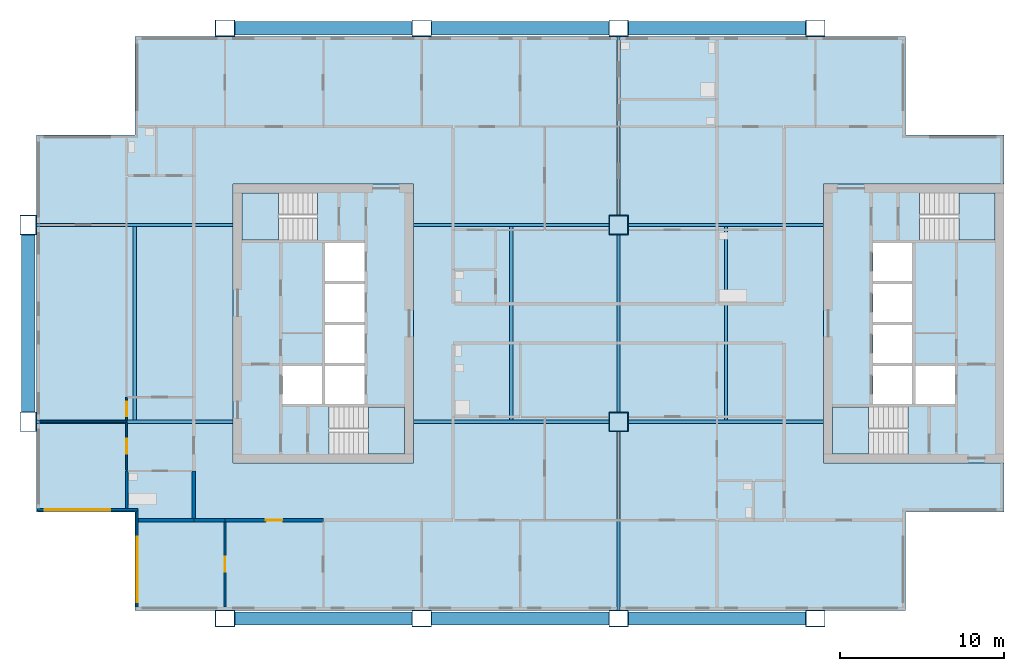
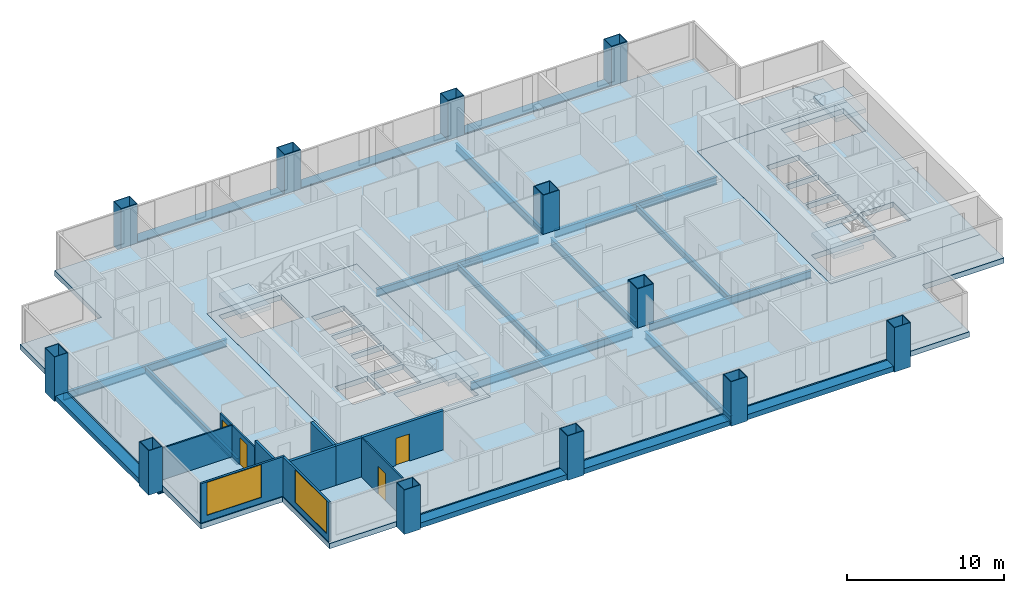
# One storey, part 1 of 10: 19 beams, 12 columns, 11 walls, 7 slabs, 4 doors, 2 windows, 6 openings, 4 elements without a shape of their own.
"""IFC4 building model written with IfcOpenShell, lengths in metres."""

from ifc_helpers import new_model, si_unit, direction, frame, frame_2d, origin, origin_2d, place, context, subcontext, project, spatial, polyline, rectangle, hollow_rectangle, i_section, outline, extrude, material, layer, layer_set, material_profile, profile_set, type_object, element, fill, aggregate, save


model = new_model("IFC4")

# Units and contexts
model_context = context("Model", 3, precision=1e-05, world=origin(), true_north=direction((0.0, 1.0)))
body_context = subcontext(model_context, "Body", "Model", "MODEL_VIEW")
ifc_project = project(units=[si_unit("LENGTHUNIT", "METRE"), si_unit("AREAUNIT", "SQUARE_METRE"), si_unit("VOLUMEUNIT", "CUBIC_METRE"), si_unit("PLANEANGLEUNIT", "RADIAN"), si_unit("MASSUNIT", "GRAM", prefix="KILO")], contexts=[model_context])

# Site, building, storey
site_placement = place(None, origin())
site = spatial("IfcSite", under=ifc_project, at=site_placement, CompositionType="ELEMENT")
building_placement = place(site_placement, origin())
building = spatial("IfcBuilding", under=site, at=building_placement, Name="Kitamizu Gate Tower and Museum", CompositionType="ELEMENT")
storey_placement = place(building_placement, frame((0.0, 0.0, 185.85009765625)))
storey = spatial("IfcBuildingStorey", under=building, at=storey_placement, Name="L49", CompositionType="ELEMENT", Elevation=185.85009765625)

# Columns
ifc_material_1 = material(Name="Steel SM490A bronze coated", Category="steel")
ifc_material_profile_1 = material_profile(ifc_material_1, hollow_rectangle(XDim=1.199951171875, YDim=1.0, WallThickness=0.044921875, at=origin_2d()), Name="BOX 1200x1000x45")
ifc_profile_set_1 = profile_set([ifc_material_profile_1], Name="Steel SM490A bronze coated")
column_type_1 = type_object("IfcColumnType", Name="Exoskeleton column XC7 BOX 1200x1000x45", PredefinedType="COLUMN", material=ifc_profile_set_1)
for number, where, z_axis, x_axis, name in (
    (1, (0.0, 24.0, -0.400146484375), (0.0, 0.0, 1.0), (0.0, 1.0, 0.0), "Column XC7 1C L49"),
    (2, (0.0, 36.0, -0.400146484375), (0.0, 0.0, 1.0), (0.0, 1.0, 0.0), "Column XC7 1D L49"),
    (3, (12.0, 12.0, -0.400146484375), (0.0, 0.0, 1.0), (1.0, 0.0, 0.0), "Column XC7 2B L49"),
    (4, (12.0, 48.0, -0.400146484375), (0.0, 0.0, 1.0), (1.0, 0.0, 0.0), "Column XC7 2E L49"),
    (5, (24.0, 12.0, -0.400146484375), (0.0, 0.0, 1.0), (1.0, 0.0, 0.0), "Column XC7 3B L49"),
    (6, (24.0, 48.0, -0.400146484375), (0.0, 0.0, 1.0), (1.0, 0.0, 0.0), "Column XC7 3E L49"),
    (7, (36.0, 12.0, -0.400146484375), (0.0, 0.0, 1.0), (1.0, 0.0, 0.0), "Column XC7 4B L49"),
    (8, (36.0, 48.0, -0.400146484375), (0.0, 0.0, 1.0), (1.0, 0.0, 0.0), "Column XC7 4E L49"),
    (9, (48.0, 12.0, -0.400146484375), (0.0, 0.0, 1.0), (1.0, 0.0, 0.0), "Column XC7 5B L49"),
    (10, (48.0, 48.0, -0.400146484375), (0.0, 0.0, 1.0), (1.0, 0.0, 0.0), "Column XC7 5E L49"),
):
    element("IfcColumn", number, at=place(storey_placement, frame(where, z_axis=z_axis, x_axis=x_axis)), inside=storey, type_object=column_type_1, Name=name, PredefinedType="COLUMN", context=body_context, shape_type="SweptSolid", body=[
        extrude(hollow_rectangle(XDim=1.199951171875, YDim=1.0, WallThickness=0.044921875, at=origin_2d()), origin(), (0.0, 0.0, 1.0), 3.449951171875),
    ])
ifc_material_2 = material(Name="Steel SM490A", Category="steel")
ifc_material_profile_2 = material_profile(ifc_material_2, hollow_rectangle(XDim=1.199951171875, YDim=1.199951171875, WallThickness=0.050048828125, at=origin_2d()), Name="BOX 1200x1200x50")
ifc_profile_set_2 = profile_set([ifc_material_profile_2], Name="Steel SM490A")
column_type_2 = type_object("IfcColumnType", Name="Interior column IC4 BOX 1200x1200x50", PredefinedType="COLUMN", material=ifc_profile_set_2)
for number, where, z_axis, x_axis, name in (
    (11, (36.0, 24.0, 0.0), (0.0, 0.0, 1.0), (1.0, 0.0, 0.0), "Column IC4 4C L49"),
    (12, (36.0, 36.0, 0.0), (0.0, 0.0, 1.0), (1.0, 0.0, 0.0), "Column IC4 4D L49"),
):
    element("IfcColumn", number, at=place(storey_placement, frame(where, z_axis=z_axis, x_axis=x_axis)), inside=storey, type_object=column_type_2, Name=name, PredefinedType="COLUMN", context=body_context, shape_type="SweptSolid", body=[
        extrude(hollow_rectangle(XDim=1.199951171875, YDim=1.199951171875, WallThickness=0.050048828125, at=origin_2d()), origin(), (0.0, 0.0, 1.0), 3.0498046875),
    ])

# Beams
ifc_material_3 = material(Name="Steel SM490A bronze coated", Category="steel")
ifc_material_profile_3 = material_profile(ifc_material_3, hollow_rectangle(XDim=0.800048828125, YDim=0.39990234375, WallThickness=0.0400390625, at=origin_2d()), Name="BOX 800x400x40")
ifc_profile_set_3 = profile_set([ifc_material_profile_3], Name="Steel SM490A bronze coated")
beam_type_1 = type_object("IfcBeamType", Name="Exoskeleton spandrel beam SB1 BOX 800x400x40", PredefinedType="SPANDREL", material=ifc_profile_set_3)
for number, where, z_axis, x_axis, name in (
    (13, (12.60009765625, 12.0, -0.2001953125), (1.0, 0.0, 0.0), (0.0, 1.0, 0.0), "Exoskeleton spandrel beam south 12 L49"),
    (14, (24.60009765625, 12.0, -0.2001953125), (1.0, 0.0, 0.0), (0.0, 1.0, 0.0), "Exoskeleton spandrel beam south 24 L49"),
    (15, (36.60009765625, 12.0, -0.2001953125), (1.0, 0.0, 0.0), (0.0, 1.0, 0.0), "Exoskeleton spandrel beam south 36 L49"),
    (16, (12.60009765625, 48.0, -0.2001953125), (1.0, 0.0, 0.0), (0.0, 1.0, 0.0), "Exoskeleton spandrel beam north 12 L49"),
    (17, (24.60009765625, 48.0, -0.2001953125), (1.0, 0.0, 0.0), (0.0, 1.0, 0.0), "Exoskeleton spandrel beam north 24 L49"),
    (18, (36.60009765625, 48.0, -0.2001953125), (1.0, 0.0, 0.0), (0.0, 1.0, 0.0), "Exoskeleton spandrel beam north 36 L49"),
    (19, (0.0, 24.60009765625, -0.2001953125), (0.0, 1.0, 0.0), (-1.0, 0.0, 0.0), "Exoskeleton spandrel beam west 24 L49"),
):
    element("IfcBeam", number, at=place(storey_placement, frame(where, z_axis=z_axis, x_axis=x_axis)), inside=storey, type_object=beam_type_1, Name=name, PredefinedType="SPANDREL", context=body_context, shape_type="SweptSolid", body=[
        extrude(hollow_rectangle(XDim=0.800048828125, YDim=0.39990234375, WallThickness=0.0400390625, at=origin_2d()), origin(), (0.0, 0.0, 1.0), 10.7998046875),
    ])
ifc_material_4 = material(Name="Steel SM490A", Category="steel")
ifc_material_profile_4 = material_profile(ifc_material_4, i_section(OverallWidth=0.199951171875, OverallDepth=0.5, WebThickness=0.010009765625, FlangeThickness=0.01611328125, FilletRadius=0.02001953125, at=origin_2d()), Name="H-500x200x10x16")
ifc_profile_set_4 = profile_set([ifc_material_profile_4], Name="Steel SM490A")
beam_type_2 = type_object("IfcBeamType", Name="Floor beam FB1 H 500x200x10x16", PredefinedType="BEAM", material=ifc_profile_set_4)
for number, where, z_axis, x_axis, name in (
    (20, (6.5, 24.10009765625, -0.650146484375), (0.0, 1.0, 0.0), (-1.0, 0.0, 0.0), "Floor beam FB1 L49-1"),
    (21, (29.449951171875, 24.10009765625, -0.650146484375), (0.0, 1.0, 0.0), (-1.0, 0.0, 0.0), "Floor beam FB1 L49-2"),
    (22, (42.550048828125, 24.10009765625, -0.650146484375), (0.0, 1.0, 0.0), (-1.0, 0.0, 0.0), "Floor beam FB1 L49-3"),
):
    element("IfcBeam", number, at=place(storey_placement, frame(where, z_axis=z_axis, x_axis=x_axis)), inside=storey, type_object=beam_type_2, Name=name, PredefinedType="BEAM", context=body_context, shape_type="SweptSolid", body=[
        extrude(i_section(OverallWidth=0.199951171875, OverallDepth=0.5, WebThickness=0.010009765625, FlangeThickness=0.01611328125, FilletRadius=0.02001953125, at=origin_2d()), origin(), (0.0, 0.0, 1.0), 11.7998046875),
    ])
ifc_material_5 = material(Name="Steel SM490A", Category="steel")
ifc_material_profile_5 = material_profile(ifc_material_5, i_section(OverallWidth=0.199951171875, OverallDepth=0.60009765625, WebThickness=0.010986328125, FlangeThickness=0.01708984375, FilletRadius=0.02197265625, at=origin_2d()), Name="H-600x200x11x17")
ifc_profile_set_5 = profile_set([ifc_material_profile_5], Name="Steel SM490A")
beam_type_3 = type_object("IfcBeamType", Name="Floor girder FG1 H 600x200x11x17", PredefinedType="BEAM", material=ifc_profile_set_5)
beam_1_placement = place(storey_placement, frame((36.0, 12.5, -0.7001953125), z_axis=(0.0, 1.0, 0.0), x_axis=(-1.0, 0.0, 0.0)))
element("IfcBeam", 23, at=beam_1_placement, inside=storey, type_object=beam_type_3, Name="Floor girder FG1 x36 L49", PredefinedType="BEAM", context=body_context, shape_type="SweptSolid", body=[
    extrude(i_section(OverallWidth=0.199951171875, OverallDepth=0.60009765625, WebThickness=0.010986328125, FlangeThickness=0.01708984375, FilletRadius=0.02197265625, at=origin_2d()), origin(), (0.0, 0.0, 1.0), 10.89990234375),
])
beam_2_placement = place(storey_placement, frame((36.0, 24.60009765625, -0.7001953125), z_axis=(0.0, 1.0, 0.0), x_axis=(-1.0, 0.0, 0.0)))
element("IfcBeam", 24, at=beam_2_placement, inside=storey, type_object=beam_type_3, Name="Floor girder FG1 x36 L49", PredefinedType="BEAM", context=body_context, shape_type="SweptSolid", body=[
    extrude(i_section(OverallWidth=0.199951171875, OverallDepth=0.60009765625, WebThickness=0.010986328125, FlangeThickness=0.01708984375, FilletRadius=0.02197265625, at=origin_2d()), origin(), (0.0, 0.0, 1.0), 10.7998046875),
])
beam_3_placement = place(storey_placement, frame((36.0, 36.60009765625, -0.7001953125), z_axis=(0.0, 1.0, 0.0), x_axis=(-1.0, 0.0, 0.0)))
element("IfcBeam", 25, at=beam_3_placement, inside=storey, type_object=beam_type_3, Name="Floor girder FG1 x36 L49", PredefinedType="BEAM", context=body_context, shape_type="SweptSolid", body=[
    extrude(i_section(OverallWidth=0.199951171875, OverallDepth=0.60009765625, WebThickness=0.010986328125, FlangeThickness=0.01708984375, FilletRadius=0.02197265625, at=origin_2d()), origin(), (0.0, 0.0, 1.0), 10.89990234375),
])
beam_4_placement = place(storey_placement, frame((0.5, 24.0, -0.7001953125), z_axis=(1.0, 0.0, 0.0), x_axis=(0.0, 1.0, 0.0)))
element("IfcBeam", 26, at=beam_4_placement, inside=storey, type_object=beam_type_3, Name="Floor girder FG1 y24 L49", PredefinedType="BEAM", context=body_context, shape_type="SweptSolid", body=[
    extrude(i_section(OverallWidth=0.199951171875, OverallDepth=0.60009765625, WebThickness=0.010986328125, FlangeThickness=0.01708984375, FilletRadius=0.02197265625, at=origin_2d()), origin(), (0.0, 0.0, 1.0), 12.0),
])
for number, where, z_axis, x_axis, name in (
    (27, (23.5, 24.0, -0.7001953125), (1.0, 0.0, 0.0), (0.0, 1.0, 0.0), "Floor girder FG1 y24 L49"),
    (28, (36.60009765625, 24.0, -0.7001953125), (1.0, 0.0, 0.0), (0.0, 1.0, 0.0), "Floor girder FG1 y24 L49"),
):
    element("IfcBeam", number, at=place(storey_placement, frame(where, z_axis=z_axis, x_axis=x_axis)), inside=storey, type_object=beam_type_3, Name=name, PredefinedType="BEAM", context=body_context, shape_type="SweptSolid", body=[
        extrude(i_section(OverallWidth=0.199951171875, OverallDepth=0.60009765625, WebThickness=0.010986328125, FlangeThickness=0.01708984375, FilletRadius=0.02197265625, at=origin_2d()), origin(), (0.0, 0.0, 1.0), 11.89990234375),
    ])
beam_5_placement = place(storey_placement, frame((0.5, 36.0, -0.7001953125), z_axis=(1.0, 0.0, 0.0), x_axis=(0.0, 1.0, 0.0)))
element("IfcBeam", 29, at=beam_5_placement, inside=storey, type_object=beam_type_3, Name="Floor girder FG1 y36 L49", PredefinedType="BEAM", context=body_context, shape_type="SweptSolid", body=[
    extrude(i_section(OverallWidth=0.199951171875, OverallDepth=0.60009765625, WebThickness=0.010986328125, FlangeThickness=0.01708984375, FilletRadius=0.02197265625, at=origin_2d()), origin(), (0.0, 0.0, 1.0), 12.0),
])
for number, where, z_axis, x_axis, name in (
    (30, (23.5, 36.0, -0.7001953125), (1.0, 0.0, 0.0), (0.0, 1.0, 0.0), "Floor girder FG1 y36 L49"),
    (31, (36.60009765625, 36.0, -0.7001953125), (1.0, 0.0, 0.0), (0.0, 1.0, 0.0), "Floor girder FG1 y36 L49"),
):
    element("IfcBeam", number, at=place(storey_placement, frame(where, z_axis=z_axis, x_axis=x_axis)), inside=storey, type_object=beam_type_3, Name=name, PredefinedType="BEAM", context=body_context, shape_type="SweptSolid", body=[
        extrude(i_section(OverallWidth=0.199951171875, OverallDepth=0.60009765625, WebThickness=0.010986328125, FlangeThickness=0.01708984375, FilletRadius=0.02197265625, at=origin_2d()), origin(), (0.0, 0.0, 1.0), 11.89990234375),
    ])

# Slabs
ifc_material_6 = material(Name="Concrete Fc36", Category="concrete")
ifc_layer_1 = layer(ifc_material_6, 0.39990234375)
ifc_layer_set_1 = layer_set([ifc_layer_1], Name="Concrete Fc36")
slab_type_1 = type_object("IfcSlabType", Name="Core floor slab 400", PredefinedType="FLOOR", material=ifc_layer_set_1)
slab_1_placement = place(storey_placement, frame((0.0, 0.0, -0.400146484375)))
element("IfcSlab", 32, at=slab_1_placement, inside=storey, type_object=slab_type_1, Name="Core floor slab W", PredefinedType="FLOOR", context=body_context, shape_type="SweptSolid", body=[
    extrude(outline(polyline([(12.5, 21.5), (23.5, 21.5), (23.5, 38.5), (12.5, 38.5), (12.5, 21.5)]), holes=[polyline([(15.5, 25.10009765625), (17.89990234375, 25.10009765625), (17.89990234375, 27.39990234375), (15.5, 27.39990234375), (15.5, 25.10009765625)]), polyline([(18.10009765625, 25.10009765625), (20.5, 25.10009765625), (20.5, 27.39990234375), (18.10009765625, 27.39990234375), (18.10009765625, 25.10009765625)]), polyline([(18.10009765625, 27.60009765625), (20.5, 27.60009765625), (20.5, 29.89990234375), (18.10009765625, 29.89990234375), (18.10009765625, 27.60009765625)]), polyline([(18.10009765625, 30.10009765625), (20.5, 30.10009765625), (20.5, 32.39990234375), (18.10009765625, 32.39990234375), (18.10009765625, 30.10009765625)]), polyline([(18.10009765625, 32.60009765625), (20.5, 32.60009765625), (20.5, 34.89990234375), (18.10009765625, 34.89990234375), (18.10009765625, 32.60009765625)]), polyline([(18.3505859375, 22.050048828125), (22.949951171875, 22.050048828125), (22.949951171875, 24.89990234375), (18.3505859375, 24.89990234375), (18.3505859375, 22.050048828125)]), polyline([(13.050048828125, 35.10009765625), (17.6494140625, 35.10009765625), (17.6494140625, 37.949951171875), (13.050048828125, 37.949951171875), (13.050048828125, 35.10009765625)])]), origin(), (0.0, 0.0, 1.0), 0.400146484375),
])
slab_2_placement = place(storey_placement, frame((0.0, 0.0, -0.400146484375)))
element("IfcSlab", 33, at=slab_2_placement, inside=storey, type_object=slab_type_1, Name="Core floor slab E", PredefinedType="FLOOR", context=body_context, shape_type="SweptSolid", body=[
    extrude(outline(polyline([(48.5, 21.5), (59.5, 21.5), (59.5, 38.5), (48.5, 38.5), (48.5, 21.5)]), holes=[polyline([(54.10009765625, 25.10009765625), (56.5, 25.10009765625), (56.5, 27.39990234375), (54.10009765625, 27.39990234375), (54.10009765625, 25.10009765625)]), polyline([(51.5, 25.10009765625), (53.89990234375, 25.10009765625), (53.89990234375, 27.39990234375), (51.5, 27.39990234375), (51.5, 25.10009765625)]), polyline([(51.5, 27.60009765625), (53.89990234375, 27.60009765625), (53.89990234375, 29.89990234375), (51.5, 29.89990234375), (51.5, 27.60009765625)]), polyline([(51.5, 30.10009765625), (53.89990234375, 30.10009765625), (53.89990234375, 32.39990234375), (51.5, 32.39990234375), (51.5, 30.10009765625)]), polyline([(51.5, 32.60009765625), (53.89990234375, 32.60009765625), (53.89990234375, 34.89990234375), (51.5, 34.89990234375), (51.5, 32.60009765625)]), polyline([(49.050048828125, 22.050048828125), (53.6494140625, 22.050048828125), (53.6494140625, 24.89990234375), (49.050048828125, 24.89990234375), (49.050048828125, 22.050048828125)]), polyline([(54.3505859375, 35.10009765625), (58.949951171875, 35.10009765625), (58.949951171875, 37.949951171875), (54.3505859375, 37.949951171875), (54.3505859375, 35.10009765625)])]), origin(), (0.0, 0.0, 1.0), 0.400146484375),
])
ifc_material_7 = material(Name="Concrete Fc36", Category="concrete")
ifc_layer_2 = layer(ifc_material_7, 0.39990234375)
ifc_layer_set_2 = layer_set([ifc_layer_2], Name="Concrete Fc36")
slab_type_2 = type_object("IfcSlabType", Name="Post tensioned flat slab 400", PredefinedType="FLOOR", material=ifc_layer_set_2)
slab_3_placement = place(storey_placement, frame((0.0, 0.0, -0.400146484375)))
element("IfcSlab", 34, at=slab_3_placement, inside=storey, type_object=slab_type_2, Name="Floor slab L49-1", PredefinedType="FLOOR", context=body_context, shape_type="SweptSolid", body=[
    extrude(outline(polyline([(0.5, 18.5), (0.5, 41.5), (6.5, 41.5), (6.5, 47.5), (53.5, 47.5), (53.5, 41.5), (59.5, 41.5), (59.5, 38.5), (48.5, 38.5), (48.5, 21.5), (59.5, 21.5), (59.5, 18.5), (53.5, 18.5), (53.5, 12.5), (6.5, 12.5), (6.5, 18.5), (0.5, 18.5)]), holes=[polyline([(12.5, 38.5), (12.5, 21.5), (23.5, 21.5), (23.5, 38.5), (12.5, 38.5)])]), origin(), (0.0, 0.0, 1.0), 0.400146484375),
])

# Stair, slab
ifc_material_8 = material(Name="Concrete Fc42", Category="concrete")
stair_type = type_object("IfcStairType", Name="Exit stair 1325 wide 192 rise 300 going", PredefinedType="HALF_TURN_STAIR", material=ifc_material_8)
stair_1_placement = place(storey_placement, origin())
stair_1 = element("IfcStair", 35, at=stair_1_placement, inside=storey, type_object=stair_type, Name="Exit stair ST1", PredefinedType="HALF_TURN_STAIR")
ifc_material_9 = material(Name="Concrete Fc42", Category="concrete")
ifc_layer_3 = layer(ifc_material_9, 0.300048828125)
ifc_layer_set_3 = layer_set([ifc_layer_3], Name="Concrete Fc42")
slab_type_3 = type_object("IfcSlabType", Name="Stair landing 300", PredefinedType="LANDING", material=ifc_layer_set_3)
slab_4_placement = place(storey_placement, frame((0.0, 0.0, 1.4248046875)))
slab_4 = element("IfcSlab", 36, at=slab_4_placement, type_object=slab_type_3, Name="ST1 landing 1", PredefinedType="LANDING", context=body_context, shape_type="SweptSolid", body=[
    extrude(outline(polyline([(20.75, 22.050048828125), (22.949951171875, 22.050048828125), (22.949951171875, 24.89990234375), (20.75, 24.89990234375), (20.75, 22.050048828125)])), origin(), (0.0, 0.0, 1.0), 0.300048828125),
])
aggregate(stair_1, [slab_4])

stair_2_placement = place(storey_placement, origin())
stair_2 = element("IfcStair", 37, at=stair_2_placement, inside=storey, type_object=stair_type, Name="Exit stair ST2", PredefinedType="HALF_TURN_STAIR")
slab_5_placement = place(storey_placement, frame((0.0, 0.0, 1.4248046875)))
slab_5 = element("IfcSlab", 38, at=slab_5_placement, type_object=slab_type_3, Name="ST2 landing 1", PredefinedType="LANDING", context=body_context, shape_type="SweptSolid", body=[
    extrude(outline(polyline([(13.050048828125, 35.10009765625), (15.25, 35.10009765625), (15.25, 37.949951171875), (13.050048828125, 37.949951171875), (13.050048828125, 35.10009765625)])), origin(), (0.0, 0.0, 1.0), 0.300048828125),
])
aggregate(stair_2, [slab_5])

stair_3_placement = place(storey_placement, origin())
stair_3 = element("IfcStair", 39, at=stair_3_placement, inside=storey, type_object=stair_type, Name="Exit stair ST3", PredefinedType="HALF_TURN_STAIR")
slab_6_placement = place(storey_placement, frame((0.0, 0.0, 1.4248046875)))
slab_6 = element("IfcSlab", 40, at=slab_6_placement, type_object=slab_type_3, Name="ST3 landing 1", PredefinedType="LANDING", context=body_context, shape_type="SweptSolid", body=[
    extrude(outline(polyline([(49.050048828125, 22.050048828125), (51.25, 22.050048828125), (51.25, 24.89990234375), (49.050048828125, 24.89990234375), (49.050048828125, 22.050048828125)])), origin(), (0.0, 0.0, 1.0), 0.300048828125),
])
aggregate(stair_3, [slab_6])

stair_4_placement = place(storey_placement, origin())
stair_4 = element("IfcStair", 41, at=stair_4_placement, inside=storey, type_object=stair_type, Name="Exit stair ST4", PredefinedType="HALF_TURN_STAIR")
slab_7_placement = place(storey_placement, frame((0.0, 0.0, 1.4248046875)))
slab_7 = element("IfcSlab", 42, at=slab_7_placement, type_object=slab_type_3, Name="ST4 landing 1", PredefinedType="LANDING", context=body_context, shape_type="SweptSolid", body=[
    extrude(outline(polyline([(56.75, 35.10009765625), (58.949951171875, 35.10009765625), (58.949951171875, 37.949951171875), (56.75, 37.949951171875), (56.75, 35.10009765625)])), origin(), (0.0, 0.0, 1.0), 0.300048828125),
])
aggregate(stair_4, [slab_7])

# Wall, opening, door
ifc_material_10 = material(Name="Gypsum board on galvanised stud")
ifc_layer_4 = layer(ifc_material_10, 0.10009765625)
ifc_layer_set_4 = layer_set([ifc_layer_4], Name="Gypsum board on galvanised stud")
wall_type_1 = type_object("IfcWallType", Name="Partition 100 NOT RATED", PredefinedType="PARTITIONING", material=ifc_layer_set_4)
wall_1_placement = place(storey_placement, frame((12.0, 12.719970703125, 0.0), z_axis=(0.0, 0.0, 1.0), x_axis=(0.0, 1.0, 0.0)))
wall_1 = element("IfcWall", 43, at=wall_1_placement, inside=storey, type_object=wall_type_1, Name="Partition L49-001", PredefinedType="PARTITIONING", context=body_context, shape_type="SweptSolid", body=[
    extrude(rectangle(XDim=5.179931640625, YDim=0.10009765625, at=frame_2d((2.58984375, 0.0))), origin(), (0.0, 0.0, 1.0), 3.0498046875),
])
opening_1_placement = place(wall_1_placement, frame((2.139892578125, 0.0, 0.0)))
opening_1 = element("IfcOpeningElement", 44, at=opening_1_placement, cuts=wall_1, Name="Opening L49-002", PredefinedType="OPENING", context=body_context, shape_type="SweptSolid", body=[
    extrude(rectangle(XDim=0.89990234375, YDim=2.10009765625, at=frame_2d((0.449951171875, 1.050048828125))), frame((0.0, 0.06005859375, 0.0), z_axis=(0.0, -1.0, 0.0), x_axis=(1.0, 0.0, 0.0)), (0.0, 0.0, 1.0), 0.1201171875),
])
ifc_material_11 = material(Name="Timber door set", Category="wood")
door_type_1 = type_object("IfcDoorType", Name="Room door 900", OperationType="NOTDEFINED", PredefinedType="DOOR", material=ifc_material_11)
door_1_placement = place(opening_1_placement, origin())
door_1 = element("IfcDoor", 45, at=door_1_placement, inside=storey, type_object=door_type_1, Name="Door L49-002", OperationType="SINGLE_SWING_LEFT", OverallHeight=2.10009765625, OverallWidth=0.89990234375, PredefinedType="DOOR", context=body_context, shape_type="SweptSolid", body=[
    extrude(rectangle(XDim=0.89990234375, YDim=2.10009765625, at=frame_2d((0.449951171875, 1.050048828125))), frame((0.0, 0.02490234375, 0.0), z_axis=(0.0, -1.0, 0.0), x_axis=(1.0, 0.0, 0.0)), (0.0, 0.0, 1.0), 0.050048828125),
])
fill(opening_1, door_1)

# Wall
wall_2_placement = place(storey_placement, frame((6.0, 24.0, 0.0), z_axis=(0.0, 0.0, 1.0), x_axis=(-1.0, 0.0, 0.0)))
element("IfcWall", 46, at=wall_2_placement, inside=storey, type_object=wall_type_1, Name="Partition L49-079", PredefinedType="PARTITIONING", context=body_context, shape_type="SweptSolid", body=[
    extrude(rectangle(XDim=5.280029296875, YDim=0.10009765625, at=frame_2d((2.64013671875, 0.0))), origin(), (0.0, 0.0, 1.0), 2.449951171875),
])

# Wall, opening, door
wall_3_placement = place(storey_placement, frame((6.0, 21.074951171875, 0.0), z_axis=(0.0, 0.0, 1.0), x_axis=(0.0, 1.0, 0.0)))
wall_3 = element("IfcWall", 47, at=wall_3_placement, inside=storey, type_object=wall_type_1, Name="Partition L49-081", PredefinedType="PARTITIONING", context=body_context, shape_type="SweptSolid", body=[
    extrude(rectangle(XDim=2.875, YDim=0.10009765625, at=frame_2d((1.4375, 0.0))), origin(), (0.0, 0.0, 1.0), 2.449951171875),
])
opening_2_placement = place(wall_3_placement, frame((0.987548828125, 0.0, 0.0)))
opening_2 = element("IfcOpeningElement", 48, at=opening_2_placement, cuts=wall_3, Name="Opening L49-029", PredefinedType="OPENING", context=body_context, shape_type="SweptSolid", body=[
    extrude(rectangle(XDim=0.89990234375, YDim=2.10009765625, at=frame_2d((0.449951171875, 1.050048828125))), frame((0.0, 0.06005859375, 0.0), z_axis=(0.0, -1.0, 0.0), x_axis=(1.0, 0.0, 0.0)), (0.0, 0.0, 1.0), 0.1201171875),
])
door_2_placement = place(opening_2_placement, origin())
door_2 = element("IfcDoor", 49, at=door_2_placement, inside=storey, type_object=door_type_1, Name="Door L49-029", OperationType="SINGLE_SWING_LEFT", OverallHeight=2.10009765625, OverallWidth=0.89990234375, PredefinedType="DOOR", context=body_context, shape_type="SweptSolid", body=[
    extrude(rectangle(XDim=0.89990234375, YDim=2.10009765625, at=frame_2d((0.449951171875, 1.050048828125))), frame((0.0, 0.02490234375, 0.0), z_axis=(0.0, -1.0, 0.0), x_axis=(1.0, 0.0, 0.0)), (0.0, 0.0, 1.0), 0.050048828125),
])
fill(opening_2, door_2)

wall_4_placement = place(storey_placement, frame((6.0, 24.050048828125, 0.0), z_axis=(0.0, 0.0, 1.0), x_axis=(0.0, 1.0, 0.0)))
wall_4 = element("IfcWall", 50, at=wall_4_placement, inside=storey, type_object=wall_type_1, Name="Partition L49-083", PredefinedType="PARTITIONING", context=body_context, shape_type="SweptSolid", body=[
    extrude(rectangle(XDim=1.449951171875, YDim=0.10009765625, at=frame_2d((0.72509765625, 0.0))), origin(), (0.0, 0.0, 1.0), 2.449951171875),
])
opening_3_placement = place(wall_4_placement, frame((0.27490234375, 0.0, 0.0)))
opening_3 = element("IfcOpeningElement", 51, at=opening_3_placement, cuts=wall_4, Name="Opening L49-030", PredefinedType="OPENING", context=body_context, shape_type="SweptSolid", body=[
    extrude(rectangle(XDim=0.89990234375, YDim=2.10009765625, at=frame_2d((0.449951171875, 1.050048828125))), frame((0.0, 0.06005859375, 0.0), z_axis=(0.0, -1.0, 0.0), x_axis=(1.0, 0.0, 0.0)), (0.0, 0.0, 1.0), 0.1201171875),
])
door_3_placement = place(opening_3_placement, origin())
door_3 = element("IfcDoor", 52, at=door_3_placement, inside=storey, type_object=door_type_1, Name="Door L49-030", OperationType="SINGLE_SWING_RIGHT", OverallHeight=2.10009765625, OverallWidth=0.89990234375, PredefinedType="DOOR", context=body_context, shape_type="SweptSolid", body=[
    extrude(rectangle(XDim=0.89990234375, YDim=2.10009765625, at=frame_2d((0.449951171875, 1.050048828125))), frame((0.0, 0.02490234375, 0.0), z_axis=(0.0, -1.0, 0.0), x_axis=(1.0, 0.0, 0.0)), (0.0, 0.0, 1.0), 0.050048828125),
])
fill(opening_3, door_3)

# Walls
ifc_material_12 = material(Name="Gypsum board on galvanised stud")
ifc_layer_5 = layer(ifc_material_12, 0.14990234375)
ifc_layer_set_5 = layer_set([ifc_layer_5], Name="Gypsum board on galvanised stud")
wall_type_2 = type_object("IfcWallType", Name="Partition 150", PredefinedType="PARTITIONING", material=ifc_layer_set_5)
wall_5_placement = place(storey_placement, frame((6.0, 18.719970703125, 0.0), z_axis=(0.0, 0.0, 1.0), x_axis=(0.0, 1.0, 0.0)))
element("IfcWall", 53, at=wall_5_placement, inside=storey, type_object=wall_type_2, Name="Partition L49-080", PredefinedType="PARTITIONING", context=body_context, shape_type="SweptSolid", body=[
    extrude(rectangle(XDim=2.280029296875, YDim=0.14990234375, at=frame_2d((1.14013671875, 0.0))), origin(), (0.0, 0.0, 1.0), 3.0498046875),
])
ifc_material_13 = material(Name="Gypsum board on galvanised stud")
ifc_layer_6 = layer(ifc_material_13, 0.199951171875)
ifc_layer_set_6 = layer_set([ifc_layer_6], Name="Gypsum board on galvanised stud")
wall_type_3 = type_object("IfcWallType", Name="Partition 200", PredefinedType="PARTITIONING", material=ifc_layer_set_6)
wall_6_placement = place(storey_placement, frame((10.10009765625, 18.0, 0.0), z_axis=(0.0, 0.0, 1.0), x_axis=(-1.0, 0.0, 0.0)))
element("IfcWall", 54, at=wall_6_placement, inside=storey, type_object=wall_type_3, Name="Partition L49-002", PredefinedType="PARTITIONING", context=body_context, shape_type="SweptSolid", body=[
    extrude(rectangle(XDim=3.380126953125, YDim=0.199951171875, at=frame_2d((1.68994140625, 0.0))), origin(), (0.0, 0.0, 1.0), 3.0498046875),
])
wall_7_placement = place(storey_placement, frame((12.0, 18.0, 0.0), z_axis=(0.0, 0.0, 1.0), x_axis=(-1.0, 0.0, 0.0)))
element("IfcWall", 55, at=wall_7_placement, inside=storey, type_object=wall_type_3, Name="Partition L49-003", PredefinedType="PARTITIONING", context=body_context, shape_type="SweptSolid", body=[
    extrude(rectangle(XDim=1.89990234375, YDim=0.199951171875, at=frame_2d((0.949951171875, 0.0))), origin(), (0.0, 0.0, 1.0), 3.0498046875),
])

# Wall, opening, door
wall_8_placement = place(storey_placement, frame((18.0, 18.0, 0.0), z_axis=(0.0, 0.0, 1.0), x_axis=(-1.0, 0.0, 0.0)))
wall_8 = element("IfcWall", 56, at=wall_8_placement, inside=storey, type_object=wall_type_3, Name="Partition L49-005", PredefinedType="PARTITIONING", context=body_context, shape_type="SweptSolid", body=[
    extrude(rectangle(XDim=6.0, YDim=0.199951171875, at=frame_2d((3.0, 0.0))), origin(), (0.0, 0.0, 1.0), 3.0498046875),
])
opening_4_placement = place(wall_8_placement, frame((2.5, 0.0, 0.0)))
opening_4 = element("IfcOpeningElement", 57, at=opening_4_placement, cuts=wall_8, Name="Opening L49-001", PredefinedType="OPENING", context=body_context, shape_type="SweptSolid", body=[
    extrude(rectangle(XDim=1.0, YDim=2.10009765625, at=frame_2d((0.5, 1.050048828125))), frame((0.0, 0.10986328125, 0.0), z_axis=(0.0, -1.0, 0.0), x_axis=(1.0, 0.0, 0.0)), (0.0, 0.0, 1.0), 0.219970703125),
])
ifc_material_14 = material(Name="Timber door set", Category="wood")
door_type_2 = type_object("IfcDoorType", Name="Flat entrance door 1000", OperationType="NOTDEFINED", PredefinedType="DOOR", material=ifc_material_14)
door_4_placement = place(opening_4_placement, origin())
door_4 = element("IfcDoor", 58, at=door_4_placement, inside=storey, type_object=door_type_2, Name="Flat entrance door L49-001", OperationType="SINGLE_SWING_RIGHT", OverallHeight=2.10009765625, OverallWidth=1.0, PredefinedType="DOOR", context=body_context, shape_type="SweptSolid", body=[
    extrude(rectangle(XDim=1.0, YDim=2.10009765625, at=frame_2d((0.5, 1.050048828125))), frame((0.0, 0.02490234375, 0.0), z_axis=(0.0, -1.0, 0.0), x_axis=(1.0, 0.0, 0.0)), (0.0, 0.0, 1.0), 0.050048828125),
])
fill(opening_4, door_4)

# Wall
wall_9_placement = place(storey_placement, frame((10.10009765625, 18.10009765625, 0.0), z_axis=(0.0, 0.0, 1.0), x_axis=(0.0, 1.0, 0.0)))
element("IfcWall", 59, at=wall_9_placement, inside=storey, type_object=wall_type_3, Name="Partition L49-088", PredefinedType="PARTITIONING", context=body_context, shape_type="SweptSolid", body=[
    extrude(rectangle(XDim=2.89990234375, YDim=0.199951171875, at=frame_2d((1.449951171875, 0.0))), origin(), (0.0, 0.0, 1.0), 3.0498046875),
])

# Wall, opening, window
ifc_material_15 = material(Name="Bronze anodised aluminium frame with insulated spandrel and tinted glass", Category="aluminium")
ifc_layer_7 = layer(ifc_material_15, 0.14990234375)
ifc_layer_set_7 = layer_set([ifc_layer_7], Name="Bronze anodised aluminium frame with insulated spandrel and tinted glass")
wall_type_4 = type_object("IfcWallType", Name="WINDOW WALL 150 BRONZE FRAME EI 30", PredefinedType="ELEMENTEDWALL", material=ifc_layer_set_7)
wall_10_placement = place(storey_placement, frame((0.56005859375, 18.635009765625, 0.0), z_axis=(0.0, 0.0, 1.0), x_axis=(1.0, 0.0, 0.0)))
wall_10 = element("IfcWall", 60, at=wall_10_placement, inside=storey, type_object=wall_type_4, Name="Window wall south L49", PredefinedType="ELEMENTEDWALL", context=body_context, shape_type="SweptSolid", body=[
    extrude(rectangle(XDim=6.14990234375, YDim=0.14990234375, at=frame_2d((3.074951171875, 0.0))), origin(), (0.0, 0.0, 1.0), 3.0498046875),
])
opening_5_placement = place(wall_10_placement, frame((0.43994140625, 0.0, 0.449951171875)))
opening_5 = element("IfcOpeningElement", 61, at=opening_5_placement, cuts=wall_10, Name="Opening W16", PredefinedType="OPENING", context=body_context, shape_type="SweptSolid", body=[
    extrude(rectangle(XDim=4.0, YDim=2.550048828125, at=frame_2d((2.0, 1.27490234375))), frame((0.0, 0.0849609375, 0.0), z_axis=(0.0, -1.0, 0.0), x_axis=(1.0, 0.0, 0.0)), (0.0, 0.0, 1.0), 0.169921875),
])
ifc_material_16 = material(Name="Bronze anodised aluminium frame, tinted triple glazing", Category="aluminium")
window_type = type_object("IfcWindowType", Name="WINDOW 4000 x 2550 SILL 450", PartitioningType="SINGLE_PANEL", PredefinedType="WINDOW", material=ifc_material_16)
window_1_placement = place(opening_5_placement, origin())
window_1 = element("IfcWindow", 62, at=window_1_placement, inside=storey, type_object=window_type, Name="Window W16 L49", OverallHeight=2.550048828125, OverallWidth=4.0, PartitioningType="SINGLE_PANEL", PredefinedType="WINDOW", context=body_context, shape_type="SweptSolid", body=[
    extrude(rectangle(XDim=4.0, YDim=2.550048828125, at=frame_2d((2.0, 1.27490234375))), frame((0.0, 0.030029296875, 0.0), z_axis=(0.0, -1.0, 0.0), x_axis=(1.0, 0.0, 0.0)), (0.0, 0.0, 1.0), 0.06005859375),
])
fill(opening_5, window_1)

wall_11_placement = place(storey_placement, frame((6.635009765625, 12.7099609375, 0.0), z_axis=(0.0, 0.0, 1.0), x_axis=(0.0, 1.0, 0.0)))
wall_11 = element("IfcWall", 63, at=wall_11_placement, inside=storey, type_object=wall_type_4, Name="Window wall west L49", PredefinedType="ELEMENTEDWALL", context=body_context, shape_type="SweptSolid", body=[
    extrude(rectangle(XDim=5.85009765625, YDim=0.14990234375, at=frame_2d((2.925048828125, 0.0))), origin(), (0.0, 0.0, 1.0), 3.0498046875),
])
opening_6_placement = place(wall_11_placement, frame((0.2900390625, 0.0, 0.449951171875)))
opening_6 = element("IfcOpeningElement", 64, at=opening_6_placement, cuts=wall_11, Name="Opening W16", PredefinedType="OPENING", context=body_context, shape_type="SweptSolid", body=[
    extrude(rectangle(XDim=4.0, YDim=2.550048828125, at=frame_2d((2.0, 1.27490234375))), frame((0.0, 0.0849609375, 0.0), z_axis=(0.0, -1.0, 0.0), x_axis=(1.0, 0.0, 0.0)), (0.0, 0.0, 1.0), 0.169921875),
])
window_2_placement = place(opening_6_placement, origin())
window_2 = element("IfcWindow", 65, at=window_2_placement, inside=storey, type_object=window_type, Name="Window W16 L49", OverallHeight=2.550048828125, OverallWidth=4.0, PartitioningType="SINGLE_PANEL", PredefinedType="WINDOW", context=body_context, shape_type="SweptSolid", body=[
    extrude(rectangle(XDim=4.0, YDim=2.550048828125, at=frame_2d((2.0, 1.27490234375))), frame((0.0, 0.030029296875, 0.0), z_axis=(0.0, -1.0, 0.0), x_axis=(1.0, 0.0, 0.0)), (0.0, 0.0, 1.0), 0.06005859375),
])
fill(opening_6, window_2)

save(model, "model.ifc")
